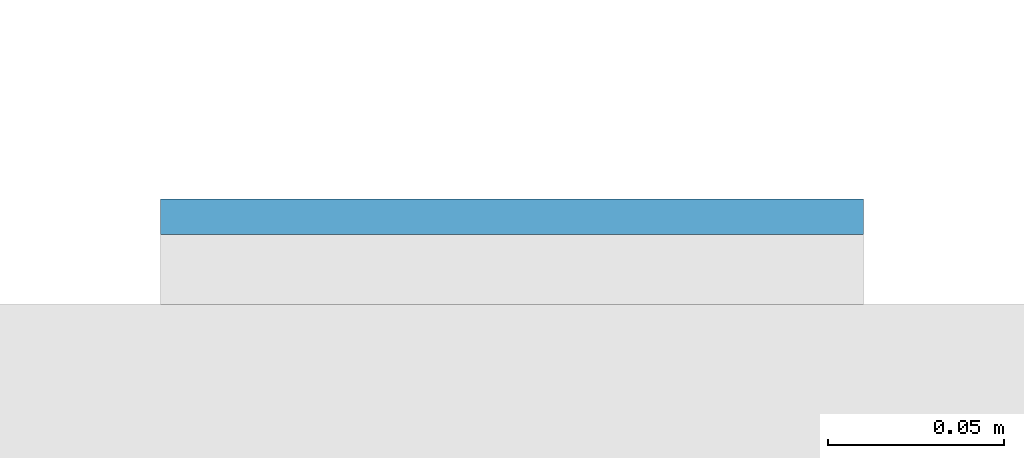
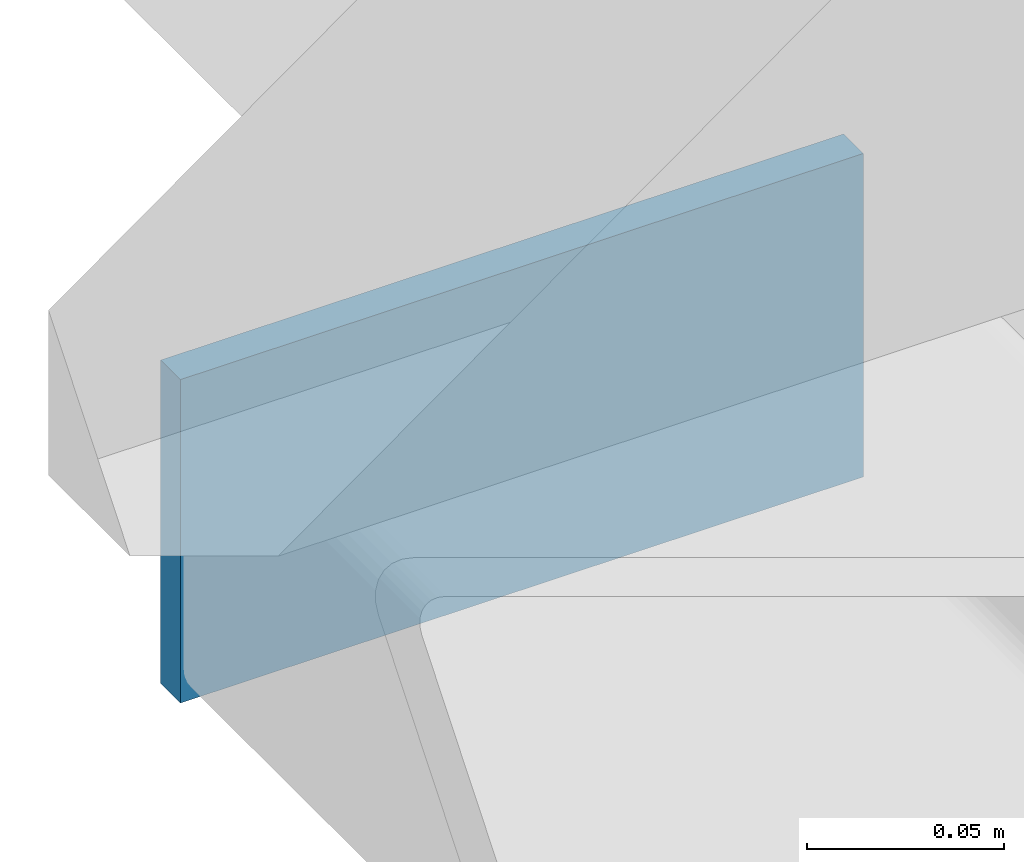
# One storey, part 9 of 20: 1 plate.
"""IFC4 building model written with IfcOpenShell, lengths in metres."""

import ifcopenshell
import ifcopenshell.guid

model = None  # the IFC model being written
_history = None  # IfcOwnerHistory: only IFC2X3 demands one
_inside = {}  # id of a spatial element -> (the spatial element, [elements in it])
_under = {}  # id of a project, library or spatial element -> (it, [spatial elements below it])
_declared = {}  # id of a project -> (the project, [libraries it declares])
_typed = {}  # id of a type object -> (the type object, [elements of that type])
_made_of = {}  # id of a material, layer set ... -> (it, [elements and type objects made of it])


def new_model(schema):
    """Start an empty IFC model of exactly this schema.

    Asked for "IFC4X3", IfcOpenShell would pick the latest addendum, in which some entities
    have other attributes; the version numbers below select the first issue.
    IFC2X3 requires an IfcOwnerHistory on every rooted entity: one is made here for all.
    """
    global model, _history
    if schema == "IFC4X3":
        model = ifcopenshell.file(schema_version=(4, 3, 0, 0))
    else:
        model = ifcopenshell.file(schema=schema)
    _inside.clear()
    _under.clear()
    _declared.clear()
    _typed.clear()
    _made_of.clear()
    _history = None
    if model.schema == "IFC2X3":
        org = make("IfcOrganization", Name="unknown")
        user = make(
            "IfcPersonAndOrganization",
            ThePerson=make("IfcPerson", FamilyName="unknown"),
            TheOrganization=org,
        )
        app = make(
            "IfcApplication",
            ApplicationDeveloper=org,
            Version="unknown",
            ApplicationFullName="unknown",
            ApplicationIdentifier="unknown",
        )
        _history = make(
            "IfcOwnerHistory",
            OwningUser=user,
            OwningApplication=app,
            ChangeAction="ADDED",
            CreationDate=0,
        )
    return model


def make(cls, **values):
    """One entity of the class cls with the attributes given. An attribute that is None is left unset."""
    return model.create_entity(
        cls, **{name: value for name, value in values.items() if value is not None}
    )


def rooted(cls, **values):
    """An entity with a GlobalId (a new one), such as an element, a storey or a relation."""
    return make(cls, GlobalId=ifcopenshell.guid.new(), OwnerHistory=_history, **values)


def si_unit(unit_type, name, prefix=None):
    """IfcSIUnit, for example si_unit("LENGTHUNIT", "METRE", prefix="MILLI")."""
    return make("IfcSIUnit", UnitType=unit_type, Prefix=prefix, Name=name)


def assignment(units):
    """IfcUnitAssignment: the units of a project."""
    return None if units is None else make("IfcUnitAssignment", Units=units)


def point(xyz):
    """IfcCartesianPoint."""
    return None if xyz is None else make("IfcCartesianPoint", Coordinates=xyz)


def direction(xyz):
    """IfcDirection."""
    return None if xyz is None else make("IfcDirection", DirectionRatios=xyz)


def frame(location, z_axis=None, x_axis=None):
    """IfcAxis2Placement3D, a coordinate frame: its origin and axes. An axis left out is left unset."""
    return make(
        "IfcAxis2Placement3D",
        Location=point(location),
        Axis=direction(z_axis),
        RefDirection=direction(x_axis),
    )


def frame_2d(location, x_axis=None):
    """IfcAxis2Placement2D, a coordinate frame in the plane: its origin and x axis."""
    return make(
        "IfcAxis2Placement2D", Location=point(location), RefDirection=direction(x_axis)
    )


def origin():
    """The frame at (0, 0, 0) with its axes left unset."""
    return frame((0.0, 0.0, 0.0))


def origin_2d():
    """The frame at (0, 0) in the plane with its x axis left unset."""
    return frame_2d((0.0, 0.0))


def place(relative_to, where):
    """IfcLocalPlacement: puts the frame where relative to a parent placement (None: the world)."""
    return make(
        "IfcLocalPlacement", PlacementRelTo=relative_to, RelativePlacement=where
    )


def context(
    kind, dimensions, precision=None, world=None, true_north=None, identifier=None
):
    """IfcGeometricRepresentationContext, for example the 3D "Model" context."""
    return make(
        "IfcGeometricRepresentationContext",
        ContextIdentifier=identifier,
        ContextType=kind,
        CoordinateSpaceDimension=dimensions,
        Precision=precision,
        WorldCoordinateSystem=world,
        TrueNorth=true_north,
    )


def subcontext(parent, identifier, kind, view, scale=None):
    """IfcGeometricRepresentationSubContext, for example "Body" below "Model"."""
    return make(
        "IfcGeometricRepresentationSubContext",
        ContextIdentifier=identifier,
        ContextType=kind,
        ParentContext=parent,
        TargetScale=scale,
        TargetView=view,
    )


def project(units=None, contexts=None):
    """IfcProject with its units and contexts."""
    return rooted(
        "IfcProject",
        Name="project",
        RepresentationContexts=contexts,
        UnitsInContext=assignment(units),
    )


def spatial(cls, under=None, at=None, **own):
    """A site, building, storey or space (cls), placed at a placement, below another one or the project."""
    s = rooted(cls, ObjectPlacement=at, **own)
    if under is not None:
        _under.setdefault(under.id(), (under, []))[1].append(s)
    return s


def profile(cls, at=None, kind="AREA", **sizes):
    """A parametric profile (cls). Its sizes go by their IFC names, for example OverallWidth=200.0."""
    return make(cls, ProfileType=kind, Position=at, **sizes)


def rectangle(**sizes):
    """IfcRectangleProfileDef."""
    return profile("IfcRectangleProfileDef", **sizes)


def extrude(swept, where, along, depth):
    """IfcExtrudedAreaSolid: the profile swept, set in the frame where, extruded along a direction by depth."""
    return make(
        "IfcExtrudedAreaSolid",
        SweptArea=swept,
        Position=where,
        ExtrudedDirection=direction(along),
        Depth=depth,
    )


def shape(context_of_items, identifier, shape_type, items):
    """IfcShapeRepresentation: the items that make up one representation, for example the "Body"."""
    return make(
        "IfcShapeRepresentation",
        ContextOfItems=context_of_items,
        RepresentationIdentifier=identifier,
        RepresentationType=shape_type,
        Items=items,
    )


def material(Name=None, Category=None):
    """IfcMaterial."""
    return make("IfcMaterial", Name=Name, Category=Category)


def layer(
    of_material, thickness, ventilated=None, Name=None, Category=None, Priority=None
):
    """IfcMaterialLayer: one layer of a wall or slab, of a material (None: an air gap)."""
    return make(
        "IfcMaterialLayer",
        Material=of_material,
        LayerThickness=thickness,
        IsVentilated=ventilated,
        Name=Name,
        Category=Category,
        Priority=Priority,
    )


def layer_set(layers, Name=None):
    """IfcMaterialLayerSet."""
    return make("IfcMaterialLayerSet", MaterialLayers=layers, LayerSetName=Name)


def made_of(thing, what):
    """Note that an element or type object is made of a material, layer set ...; save() writes the relation."""
    if what is not None:
        _made_of.setdefault(what.id(), (what, []))[1].append(thing)
    return thing


def type_object(cls, material=None, **own):
    """A type object (cls), such as IfcWallType, which elements share."""
    return made_of(rooted(cls, **own), material)


def element(
    cls,
    number,
    at=None,
    inside=None,
    cuts=None,
    type_object=None,
    material=None,
    context=None,
    identifier="Body",
    shape_type=None,
    held_by="IfcProductDefinitionShape",
    body=None,
    shapes=None,
    **own,
):
    """One element of the class cls, such as IfcWall. Its Tag is "e" and its number.

    at: its placement. inside: the storey or other place that contains it. cuts: it is an
    opening in that element (IfcRelVoidsElement). A single representation is given by context,
    identifier, shape_type and body (its items); several are given by shapes. held_by: the class
    of the entity that holds the representations. save() writes the other relations.
    """
    e = rooted(cls, Tag="e%d" % number, ObjectPlacement=at, **own)
    if body is not None:
        shapes = [shape(context, identifier, shape_type, body)]
    if shapes is not None:
        e.Representation = make(held_by, Representations=shapes)
    if inside is not None:
        _inside.setdefault(inside.id(), (inside, []))[1].append(e)
    if cuts is not None:
        rooted(
            "IfcRelVoidsElement", RelatingBuildingElement=cuts, RelatedOpeningElement=e
        )
    if type_object is not None:
        _typed.setdefault(type_object.id(), (type_object, []))[1].append(e)
    return made_of(e, material)


def aggregate(whole, parts):
    """IfcRelAggregates: a whole, such as a stair, and the parts it consists of."""
    return rooted("IfcRelAggregates", RelatingObject=whole, RelatedObjects=parts)


def save(model, path):
    """Write the relations noted so far, then the file.

    IfcRelAggregates (storeys below a building ...), IfcRelContainedInSpatialStructure (elements
    in a storey), IfcRelDefinesByType, IfcRelAssociatesMaterial and IfcRelDeclares: one each for
    every whole, place, type object, material and project.
    """
    for whole, parts in _under.values():
        aggregate(whole, parts)
    for where, things in _inside.values():
        rooted(
            "IfcRelContainedInSpatialStructure",
            RelatedElements=things,
            RelatingStructure=where,
        )
    for kind, things in _typed.values():
        rooted("IfcRelDefinesByType", RelatedObjects=things, RelatingType=kind)
    for what, things in _made_of.values():
        rooted("IfcRelAssociatesMaterial", RelatedObjects=things, RelatingMaterial=what)
    for by, libraries in _declared.values():
        rooted("IfcRelDeclares", RelatingContext=by, RelatedDefinitions=libraries)
    model.write(path)


model = new_model("IFC4")

# Units and contexts
model_context = context("Model", 3, precision=1e-05, world=origin(), true_north=direction((0.0, 1.0)))
body_context = subcontext(model_context, "Body", "Model", "MODEL_VIEW")
ifc_project = project(units=[si_unit("LENGTHUNIT", "METRE"), si_unit("AREAUNIT", "SQUARE_METRE"), si_unit("VOLUMEUNIT", "CUBIC_METRE"), si_unit("PLANEANGLEUNIT", "RADIAN"), si_unit("MASSUNIT", "GRAM", prefix="KILO")], contexts=[model_context])

# Site, building, storey
site_placement = place(None, origin())
site = spatial("IfcSite", under=ifc_project, at=site_placement, CompositionType="ELEMENT")
building_placement = place(site_placement, origin())
building = spatial("IfcBuilding", under=site, at=building_placement, Name="Cleftline Residences", CompositionType="ELEMENT")
storey_placement = place(building_placement, frame((0.0, 0.0, 196.60009765625)))
storey = spatial("IfcBuildingStorey", under=building, at=storey_placement, Name="L51", CompositionType="ELEMENT", Elevation=196.60009765625)

# Plate
ifc_material = material(Name="Steel S355, hot-dip galvanised", Category="steel")
ifc_layer = layer(ifc_material, 0.010009765625)
ifc_layer_set = layer_set([ifc_layer], Name="BAGUETTE CARRIER END PLATE 200X100X10")
plate_type = type_object("IfcPlateType", Name="BAGUETTE CARRIER END PLATE 200X100X10", PredefinedType="USERDEFINED", material=ifc_layer_set)
plate_placement = place(storey_placement, frame((-0.85009765625, 44.304931640625, -0.10009765625), z_axis=(0.0, 0.0, 1.0), x_axis=(-1.0, 0.0, 0.0)))
element("IfcPlate", 1, at=plate_placement, inside=storey, type_object=plate_type, Name="Baguette carrier end plate", ObjectType="BAGUETTE CARRIER END PLATE", PredefinedType="USERDEFINED", context=body_context, shape_type="SweptSolid", body=[
    extrude(rectangle(XDim=0.199951171875, YDim=0.010009765625, at=origin_2d()), origin(), (0.0, 0.0, 1.0), 0.10009765625),
])

save(model, "model.ifc")
